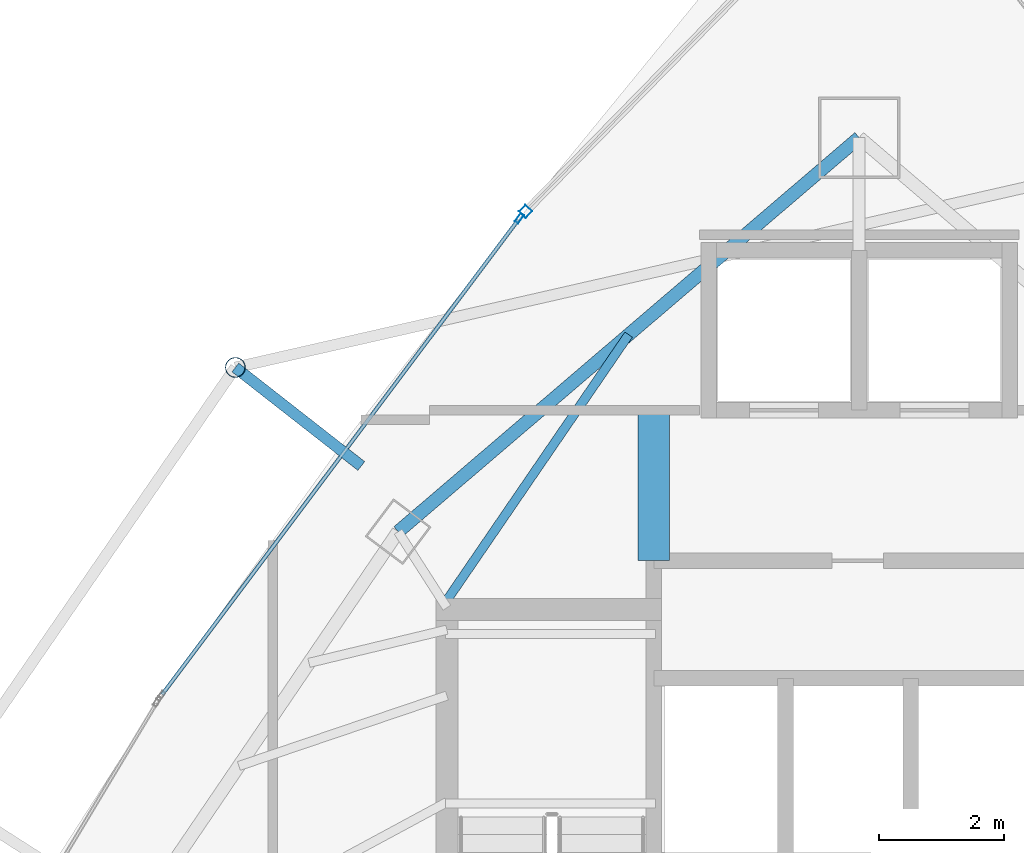
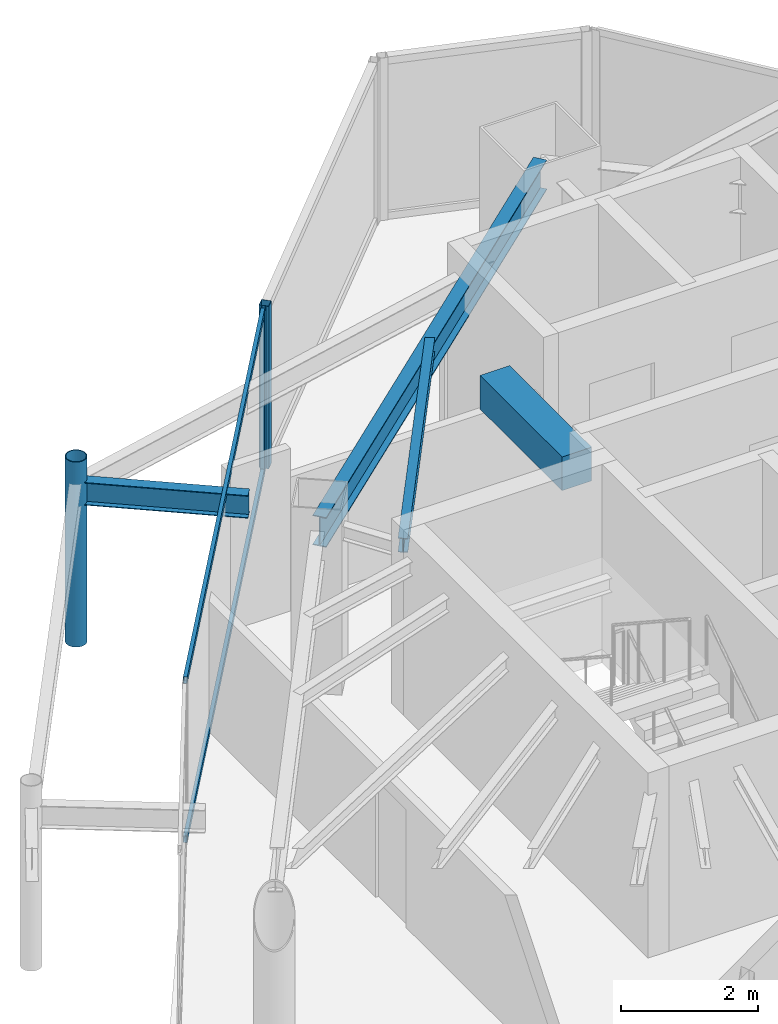
# One storey, part 20 of 29: 5 members, 4 beams, 2 elements without a shape of their own.
"""IFC4 building model written with IfcOpenShell, lengths in metres."""

from ifc_helpers import new_model, si_unit, direction, frame, origin, origin_2d, place, context, subcontext, project, spatial, rectangle, hollow_rectangle, hollow_circle, i_section, extrude, material, layer, layer_set, material_profile, profile_set, type_object, element, aggregate, save


model = new_model("IFC4")

# Units and contexts
model_context = context("Model", 3, precision=1e-05, world=origin(), true_north=direction((0.0, 1.0)))
body_context = subcontext(model_context, "Body", "Model", "MODEL_VIEW")
ifc_project = project(units=[si_unit("LENGTHUNIT", "METRE"), si_unit("AREAUNIT", "SQUARE_METRE"), si_unit("VOLUMEUNIT", "CUBIC_METRE"), si_unit("PLANEANGLEUNIT", "RADIAN"), si_unit("MASSUNIT", "GRAM", prefix="KILO")], contexts=[model_context])

# Site, building, storey
site_placement = place(None, origin())
site = spatial("IfcSite", under=ifc_project, at=site_placement, CompositionType="ELEMENT")
building_placement = place(site_placement, origin())
building = spatial("IfcBuilding", under=site, at=building_placement, Name="Orvanel Arch Residences", CompositionType="ELEMENT")
storey_placement = place(building_placement, frame((0.0, 0.0, 253.550048828125)))
storey = spatial("IfcBuildingStorey", under=building, at=storey_placement, Name="L72", CompositionType="ELEMENT", Elevation=253.550048828125)

# Beams
ifc_material_1 = material(Name="Structural steel AS/NZS 3679.1 Grade 300 (300 MPa)", Category="steel")
ifc_material_profile_1 = material_profile(ifc_material_1, i_section(OverallWidth=0.14599609375, OverallDepth=0.251953125, WebThickness=0.006103515625, FlangeThickness=0.008544921875, at=origin_2d()), Name="250UB31.4")
ifc_profile_set_1 = profile_set([ifc_material_profile_1], Name="Structural steel AS/NZS 3679.1 Grade 300 (300 MPa)")
beam_type_1 = type_object("IfcBeamType", Name="BJ-250UB", PredefinedType="JOIST", material=ifc_profile_set_1)
beam_1_placement = place(storey_placement, frame((26.425048828125, 34.02001953125, 2.77392578125), z_axis=(0.564868085352, 0.825181220188, 0.0), x_axis=(-0.825181220188, 0.564868085352, 0.0)))
element("IfcBeam", 1, at=beam_1_placement, inside=storey, type_object=beam_type_1, Name="L72 NNW2 Wing Floor Joist", PredefinedType="JOIST", context=body_context, shape_type="SweptSolid", body=[
    extrude(i_section(OverallWidth=0.14599609375, OverallDepth=0.251953125, WebThickness=0.006103515625, FlangeThickness=0.008544921875, at=origin_2d()), origin(), (0.0, 0.0, 1.0), 5.132080078125),
])
ifc_material_2 = material(Name="Concrete S65 (65 MPa)", Category="concrete")
ifc_material_profile_2 = material_profile(ifc_material_2, rectangle(XDim=0.5, YDim=0.60009765625, at=origin_2d()), Name="RC500x600")
ifc_profile_set_2 = profile_set([ifc_material_profile_2], Name="Concrete S65 (65 MPa)")
beam_type_2 = type_object("IfcBeamType", Name="CB-500x600", PredefinedType="LINTEL", material=ifc_profile_set_2)
beam_2_placement = place(storey_placement, frame((29.72509765625, 34.64990234375, 2.599853515625), z_axis=(0.0, 1.0, 0.0), x_axis=(-1.0, 0.0, 0.0)))
element("IfcBeam", 2, at=beam_2_placement, inside=storey, type_object=beam_type_2, Name="L72 West Core Lobby Coupling Lintel Beam", PredefinedType="LINTEL", context=body_context, shape_type="SweptSolid", body=[
    extrude(rectangle(XDim=0.5, YDim=0.60009765625, at=origin_2d()), origin(), (0.0, 0.0, 1.0), 2.400146484375),
])

# Curtain wall, member
ifc_material_3 = material(Name="Bronze-anodised aluminium AA6063-T6", Category="aluminium")
ifc_layer_1 = layer(ifc_material_3, 0.18994140625)
ifc_layer_set_1 = layer_set([ifc_layer_1], Name="Bronze-anodised aluminium AA6063-T6")
curtain_wall_type_1 = type_object("IfcCurtainWallType", Name="CW5-CRN-SYS", PredefinedType="NOTDEFINED", material=ifc_layer_set_1)
curtain_wall_1_placement = place(storey_placement, origin())
curtain_wall_1 = element("IfcCurtainWall", 3, at=curtain_wall_1_placement, inside=storey, type_object=curtain_wall_type_1, Name="L72 CW5-CRN-SYS Unitised Curtain Wall", PredefinedType="NOTDEFINED")
ifc_material_profile_3 = material_profile(ifc_material_3, hollow_rectangle(XDim=0.14990234375, YDim=0.14990234375, WallThickness=0.0048828125, at=origin_2d()), Name="ALU150x150x5")
ifc_profile_set_3 = profile_set([ifc_material_profile_3], Name="Bronze-anodised aluminium AA6063-T6")
member_type_1 = type_object("IfcMemberType", Name="MUL-150x150", PredefinedType="MULLION", material=ifc_profile_set_3)
member_1_placement = place(storey_placement, frame((27.679443359375, 40.220703125, 0.0), z_axis=(0.0, 0.0, 1.0), x_axis=(0.714469105473, -0.699666990307, 0.0)))
member_1 = element("IfcMember", 4, at=member_1_placement, type_object=member_type_1, Name="CW-S5 mullion 2", PredefinedType="MULLION", context=body_context, shape_type="SweptSolid", body=[
    extrude(hollow_rectangle(XDim=0.14990234375, YDim=0.14990234375, WallThickness=0.0048828125, at=origin_2d()), origin(), (0.0, 0.0, 1.0), 2.89990234375),
])
aggregate(curtain_wall_1, [member_1])

ifc_layer_2 = layer(ifc_material_3, 0.175048828125)
ifc_layer_set_2 = layer_set([ifc_layer_2], Name="Bronze-anodised aluminium AA6063-T6")
curtain_wall_type_2 = type_object("IfcCurtainWallType", Name="CW4-HI-SYS", PredefinedType="NOTDEFINED", material=ifc_layer_set_2)
curtain_wall_2_placement = place(storey_placement, origin())
curtain_wall_2 = element("IfcCurtainWall", 5, at=curtain_wall_2_placement, inside=storey, type_object=curtain_wall_type_2, Name="L72 CW4-HI-SYS Unitised Curtain Wall", PredefinedType="NOTDEFINED")
ifc_material_profile_4 = material_profile(ifc_material_3, hollow_rectangle(XDim=0.06494140625, YDim=0.159912109375, WallThickness=0.00390625, at=origin_2d()), Name="ALU160x65x4")
ifc_profile_set_4 = profile_set([ifc_material_profile_4], Name="Bronze-anodised aluminium AA6063-T6")
member_type_2 = type_object("IfcMemberType", Name="MUL-160x65", PredefinedType="MULLION", material=ifc_profile_set_4)
member_2_placement = place(storey_placement, frame((27.58154296875, 40.111083984375, 0.0), z_axis=(0.0, 0.0, 1.0), x_axis=(0.79988739913, -0.600150105151, 0.0)))
member_2 = element("IfcMember", 6, at=member_2_placement, type_object=member_type_2, Name="CW-S4 mullion 1", PredefinedType="MULLION", context=body_context, shape_type="SweptSolid", body=[
    extrude(hollow_rectangle(XDim=0.06494140625, YDim=0.159912109375, WallThickness=0.00390625, at=origin_2d()), origin(), (0.0, 0.0, 1.0), 2.89990234375),
])

# Beams
ifc_material_profile_5 = material_profile(ifc_material_1, i_section(OverallWidth=0.177978515625, OverallDepth=0.406005859375, WebThickness=0.0078125, FlangeThickness=0.0126953125, at=origin_2d()), Name="410UB59.7")
ifc_profile_set_5 = profile_set([ifc_material_profile_5], Name="Structural steel AS/NZS 3679.1 Grade 300 (300 MPa)")
beam_type_3 = type_object("IfcBeamType", Name="OB-410UB-EXT", PredefinedType="SPANDREL", material=ifc_profile_set_5)
beam_3_placement = place(storey_placement, frame((25.06005859375, 36.160888671875, 2.697021484375), z_axis=(-0.787595921672, 0.616192067594, 0.0), x_axis=(-0.616192067594, -0.787595921672, 0.0)))
element("IfcBeam", 7, at=beam_3_placement, inside=storey, type_object=beam_type_3, Name="L72 Outer Frame Radial Tie Beam 01", PredefinedType="SPANDREL", context=body_context, shape_type="SweptSolid", body=[
    extrude(i_section(OverallWidth=0.177978515625, OverallDepth=0.406005859375, WebThickness=0.0078125, FlangeThickness=0.0126953125, at=origin_2d()), origin(), (0.0, 0.0, 1.0), 2.549560546875),
])
ifc_material_profile_6 = material_profile(ifc_material_1, i_section(OverallWidth=0.208984375, OverallDepth=0.532958984375, WebThickness=0.01025390625, FlangeThickness=0.015625, at=origin_2d()), Name="530UB92.4")
ifc_profile_set_6 = profile_set([ifc_material_profile_6], Name="Structural steel AS/NZS 3679.1 Grade 300 (300 MPa)")
beam_type_4 = type_object("IfcBeamType", Name="SP-530UB", PredefinedType="SPANDREL", material=ifc_profile_set_6)
beam_4_placement = place(storey_placement, frame((33.0, 41.39794921875, 2.633056640625), z_axis=(-0.760116518398, -0.649786794617, 0.0), x_axis=(0.649786794617, -0.760116518398, 0.0)))
element("IfcBeam", 8, at=beam_4_placement, inside=storey, type_object=beam_type_4, Name="L72 Perimeter Spandrel Beam 10", PredefinedType="SPANDREL", context=body_context, shape_type="SweptSolid", body=[
    extrude(i_section(OverallWidth=0.208984375, OverallDepth=0.532958984375, WebThickness=0.01025390625, FlangeThickness=0.015625, at=origin_2d()), origin(), (0.0, 0.0, 1.0), 9.67236328125),
])

# Member
ifc_material_4 = material(Name="Structural steel AS/NZS 1163 C350L0 (Grade 350)", Category="steel")
ifc_material_profile_7 = material_profile(ifc_material_4, hollow_circle(Radius=0.162109375, WallThickness=0.0126953125, at=origin_2d()), Name="CHS324x12.7")
ifc_profile_set_7 = profile_set([ifc_material_profile_7], Name="Structural steel AS/NZS 1163 C350L0 (Grade 350)")
member_type_3 = type_object("IfcMemberType", Name="ST-324CHS-EXT", PredefinedType="STRUT", material=ifc_profile_set_7)
member_3_placement = place(storey_placement, frame((23.052001953125, 37.73193359375, 0.0), z_axis=(0.0, 0.0, 1.0), x_axis=(1.0, 0.0, 0.0)))
element("IfcMember", 9, at=member_3_placement, inside=storey, type_object=member_type_3, Name="L72 Outer Perimeter Frame Post 01", PredefinedType="STRUT", context=body_context, shape_type="SweptSolid", body=[
    extrude(hollow_circle(Radius=0.162109375, WallThickness=0.0126953125, at=origin_2d()), origin(), (0.0, 0.0, 1.0), 3.300048828125),
])

ifc_material_profile_8 = material_profile(ifc_material_3, hollow_rectangle(XDim=0.06005859375, YDim=0.1201171875, WallThickness=0.00341796875, at=origin_2d()), Name="ALU120x60x3.5")
ifc_profile_set_8 = profile_set([ifc_material_profile_8], Name="Bronze-anodised aluminium AA6063-T6")
member_type_4 = type_object("IfcMemberType", Name="TRN-120x60", PredefinedType="USERDEFINED", material=ifc_profile_set_8)
member_4_placement = place(storey_placement, frame((27.56201171875, 40.0849609375, 0.030029296875), z_axis=(-0.600156858492, -0.7998823321, 0.0), x_axis=(0.7998823321, -0.600156858492, 0.0)))
member_4 = element("IfcMember", 10, at=member_4_placement, type_object=member_type_4, Name="CW-S4 transom 1.1", ObjectType="TRANSOM", PredefinedType="USERDEFINED", context=body_context, shape_type="SweptSolid", body=[
    extrude(hollow_rectangle(XDim=0.06005859375, YDim=0.1201171875, WallThickness=0.00341796875, at=origin_2d()), origin(), (0.0, 0.0, 1.0), 9.46240234375),
])

member_5_placement = place(storey_placement, frame((27.56201171875, 40.0849609375, 2.869873046875), z_axis=(-0.600156858492, -0.7998823321, 0.0), x_axis=(0.7998823321, -0.600156858492, 0.0)))
member_5 = element("IfcMember", 11, at=member_5_placement, type_object=member_type_4, Name="CW-S4 transom 1.2", ObjectType="TRANSOM", PredefinedType="USERDEFINED", context=body_context, shape_type="SweptSolid", body=[
    extrude(hollow_rectangle(XDim=0.06005859375, YDim=0.1201171875, WallThickness=0.00341796875, at=origin_2d()), origin(), (0.0, 0.0, 1.0), 9.46240234375),
])

aggregate(curtain_wall_2, [member_2, member_4, member_5])

save(model, "model.ifc")
